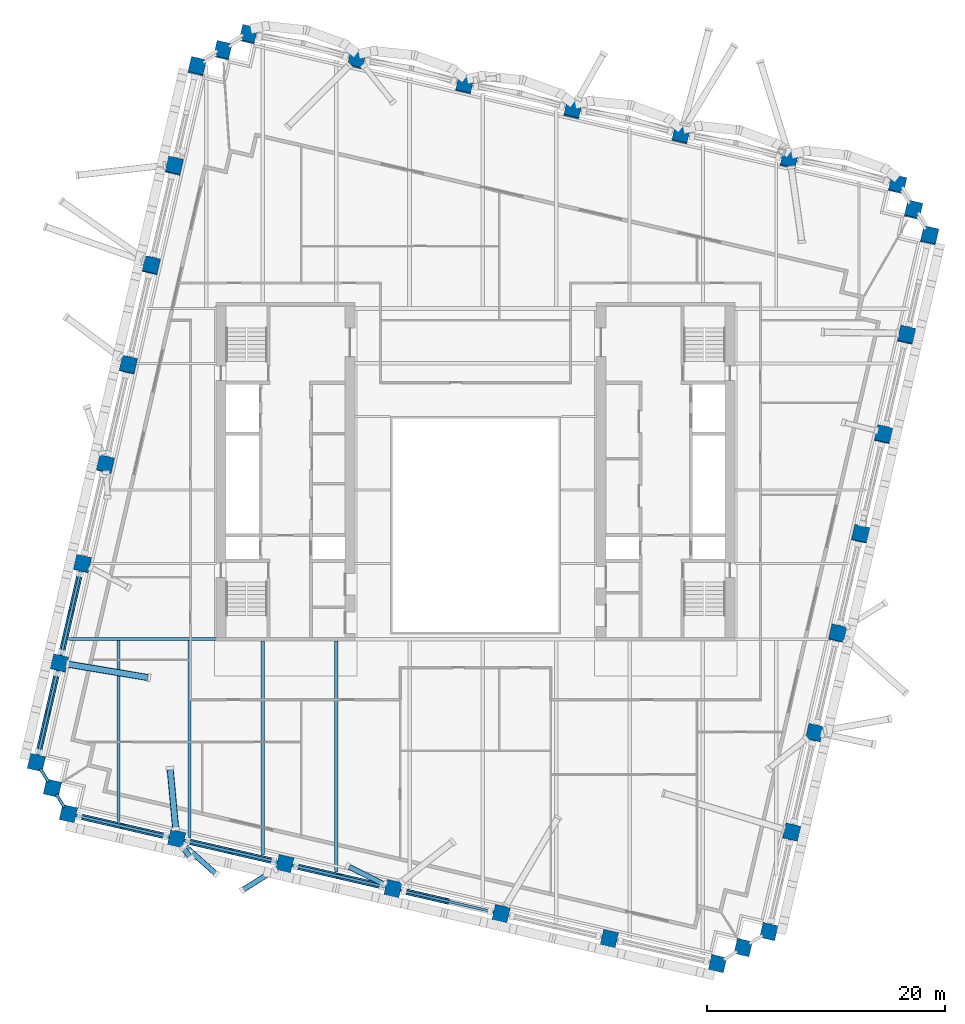
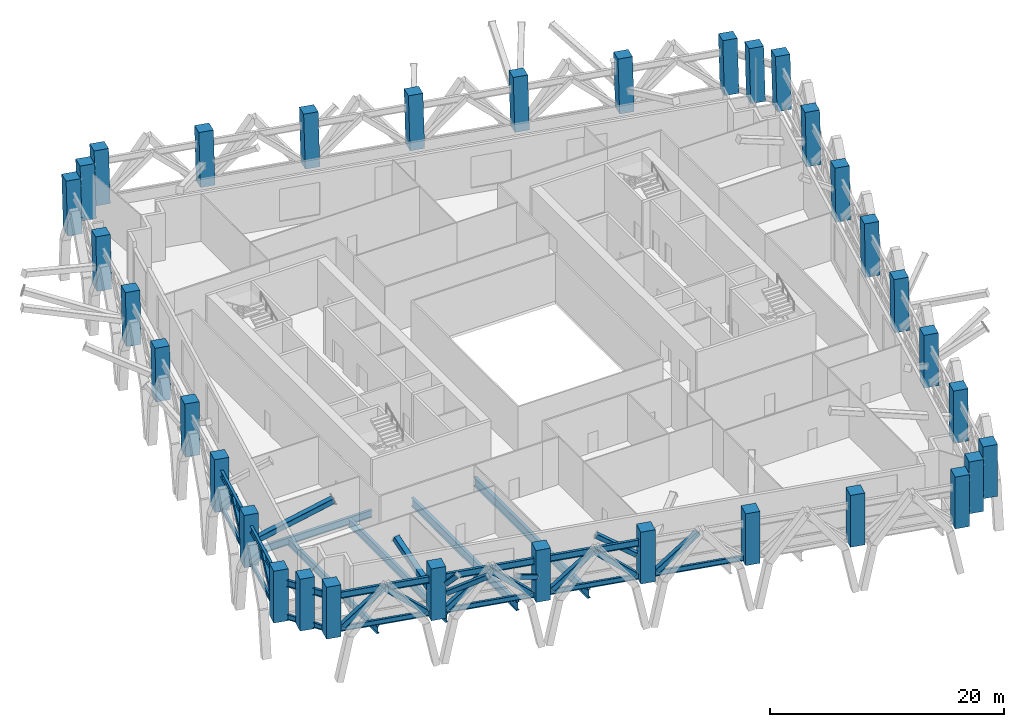
# One storey, part 1 of 20: 34 columns, 20 beams, 17 members.
"""IFC4 building model written with IfcOpenShell, lengths in metres."""

from ifc_helpers import new_model, si_unit, direction, frame, origin, origin_2d, place, context, subcontext, project, spatial, rectangle, hollow_rectangle, i_section, extrude, material, material_profile, profile_set, type_object, element, save


model = new_model("IFC4")

# Units and contexts
model_context = context("Model", 3, precision=1e-05, world=origin(), true_north=direction((0.0, 1.0)))
body_context = subcontext(model_context, "Body", "Model", "MODEL_VIEW")
ifc_project = project(units=[si_unit("LENGTHUNIT", "METRE"), si_unit("AREAUNIT", "SQUARE_METRE"), si_unit("VOLUMEUNIT", "CUBIC_METRE"), si_unit("PLANEANGLEUNIT", "RADIAN"), si_unit("MASSUNIT", "GRAM", prefix="KILO")], contexts=[model_context])

# Site, building, storey
site_placement = place(None, origin())
site = spatial("IfcSite", under=ifc_project, at=site_placement, CompositionType="ELEMENT")
building_placement = place(site_placement, origin())
building = spatial("IfcBuilding", under=site, at=building_placement, Name="Ogive Exchange Tower", CompositionType="ELEMENT")
storey_placement = place(building_placement, frame((0.0, 0.0, 160.199951171875)))
storey = spatial("IfcBuildingStorey", under=building, at=storey_placement, Name="L35", CompositionType="ELEMENT", Elevation=160.199951171875)

# Columns
ifc_material_1 = material(Name="Precast concrete C70/85 (limestone faced)", Category="masonry")
ifc_material_profile_1 = material_profile(ifc_material_1, rectangle(XDim=1.300048828125, YDim=1.300048828125, at=origin_2d()), Name="1300 x 1300")
ifc_profile_set_1 = profile_set([ifc_material_profile_1], Name="Precast concrete C70/85 (limestone faced)")
column_type = type_object("IfcColumnType", Name="Precast exoskeleton leg 1300 x 1300 C70/85", PredefinedType="COLUMN", material=ifc_profile_set_1)
for number, where, z_axis, x_axis, name in (
    (1, (-34.281982421875, -17.298095703125, 0.0), (0.0, 0.0, 1.0), (0.974370064785, -0.224951054344, 0.0), "Exoskeleton leg 1"),
    (2, (-25.171630859375, -19.401611328125, 0.0), (0.0, 0.0, 1.0), (0.974370064785, -0.224951054344, 0.0), "Exoskeleton leg 2"),
    (3, (-16.061279296875, -21.504638671875, 0.0), (0.0, 0.0, 1.0), (0.974370064785, -0.224951054344, 0.0), "Exoskeleton leg 3"),
    (4, (-6.950927734375, -23.60791015625, 0.0), (0.0, 0.0, 1.0), (0.974370064785, -0.224951054344, 0.0), "Exoskeleton leg 4"),
    (5, (2.159423828125, -25.711181640625, 0.0), (0.0, 0.0, 1.0), (0.974370064785, -0.224951054344, 0.0), "Exoskeleton leg 5"),
    (6, (11.269775390625, -27.814697265625, 0.0), (0.0, 0.0, 1.0), (0.974370064785, -0.224951054344, 0.0), "Exoskeleton leg 6"),
    (7, (20.380126953125, -29.91796875, 0.0), (0.0, 0.0, 1.0), (0.974370064785, -0.224951054344, 0.0), "Exoskeleton leg 7"),
    (8, (24.697509765625, -27.219970703125, 0.0), (0.0, 0.0, 1.0), (0.974370064785, -0.224951054344, 0.0), "Exoskeleton leg 8"),
):
    element("IfcColumn", number, at=place(storey_placement, frame(where, z_axis=z_axis, x_axis=x_axis)), inside=storey, type_object=column_type, Name=name, PredefinedType="COLUMN", context=body_context, shape_type="SweptSolid", body=[
        extrude(rectangle(XDim=1.300048828125, YDim=1.300048828125, at=origin_2d()), origin(), (0.0, 0.0, 1.0), 5.400146484375),
    ])
column_1_placement = place(storey_placement, frame((26.62939453125, -18.85302734375, 0.0), z_axis=(0.002893196118, 0.012657733016, 0.999915702052), x_axis=(-0.974858506572, 0.222824801502, 0.0)))
element("IfcColumn", 9, at=column_1_placement, inside=storey, type_object=column_type, Name="Exoskeleton leg 9", PredefinedType="COLUMN", context=body_context, shape_type="SweptSolid", body=[
    extrude(rectangle(XDim=1.300048828125, YDim=1.300048828125, at=origin_2d()), origin(), (0.0, 0.0, 1.0), 5.400634765625),
])
column_2_placement = place(storey_placement, frame((28.56103515625, -10.486083984375, 0.0), z_axis=(0.005830129404, 0.025263894082, 0.999663816114), x_axis=(-0.974391195695, 0.224859506699, 0.0)))
element("IfcColumn", 10, at=column_2_placement, inside=storey, type_object=column_type, Name="Exoskeleton leg 10", PredefinedType="COLUMN", context=body_context, shape_type="SweptSolid", body=[
    extrude(rectangle(XDim=1.300048828125, YDim=1.300048828125, at=origin_2d()), origin(), (0.0, 0.0, 1.0), 5.40185546875),
])
column_3_placement = place(storey_placement, frame((30.49267578125, -2.119140625, 0.0), z_axis=(0.00871892839, 0.037902491811, 0.999243404483), x_axis=(-0.974547573978, 0.22418078877, 0.0)))
element("IfcColumn", 11, at=column_3_placement, inside=storey, type_object=column_type, Name="Exoskeleton leg 11", PredefinedType="COLUMN", context=body_context, shape_type="SweptSolid", body=[
    extrude(rectangle(XDim=1.300048828125, YDim=1.300048828125, at=origin_2d()), origin(), (0.0, 0.0, 1.0), 5.404296875),
])
column_4_placement = place(storey_placement, frame((32.42431640625, 6.247802734375, 0.0), z_axis=(0.011648492007, 0.05052194789, 0.99865501822), x_axis=(-0.97443520668, 0.22466870717, 0.0)))
element("IfcColumn", 12, at=column_4_placement, inside=storey, type_object=column_type, Name="Exoskeleton leg 12", PredefinedType="COLUMN", context=body_context, shape_type="SweptSolid", body=[
    extrude(rectangle(XDim=1.300048828125, YDim=1.300048828125, at=origin_2d()), origin(), (0.0, 0.0, 1.0), 5.407470703125),
])
column_5_placement = place(storey_placement, frame((34.35595703125, 14.614501953125, 0.0), z_axis=(0.014572119901, 0.06316089121, 0.997896966196), x_axis=(-0.974402924741, 0.22480867478, 0.0)))
element("IfcColumn", 13, at=column_5_placement, inside=storey, type_object=column_type, Name="Exoskeleton leg 13", PredefinedType="COLUMN", context=body_context, shape_type="SweptSolid", body=[
    extrude(rectangle(XDim=1.300048828125, YDim=1.300048828125, at=origin_2d()), origin(), (0.0, 0.0, 1.0), 5.41162109375),
])
column_6_placement = place(storey_placement, frame((36.28759765625, 22.981689453125, 0.0), z_axis=(0.017443426151, 0.075678326892, 0.996979697749), x_axis=(-0.974449852125, 0.224605177351, 0.0)))
element("IfcColumn", 14, at=column_6_placement, inside=storey, type_object=column_type, Name="Exoskeleton leg 14", PredefinedType="COLUMN", context=body_context, shape_type="SweptSolid", body=[
    extrude(rectangle(XDim=1.300048828125, YDim=1.300048828125, at=origin_2d()), origin(), (0.0, 0.0, 1.0), 5.41650390625),
])
for number, where, z_axis, x_axis, name in (
    (15, (38.21923828125, 31.348388671875, 0.0), (0.020350946344, 0.088247466445, 0.995890668522), (-0.974424700969, 0.224714267774, 0.0), "Exoskeleton leg 15"),
    (16, (35.521240234375, 35.666015625, 0.0), (0.02039603287, 0.088202711684, 0.995893710942), (-0.974290512438, 0.225295355862, 0.0), "Exoskeleton leg 16"),
    (17, (26.410888671875, 37.769287109375, 0.0), (0.020395951852, 0.088247385496, 0.995889754994), (-0.974315738122, 0.225186239474, 0.0), "Exoskeleton leg 17"),
    (18, (17.300537109375, 39.87255859375, 0.0), (0.020395951852, 0.088247385496, 0.995889754994), (-0.974315738122, 0.225186239474, 0.0), "Exoskeleton leg 18"),
    (19, (8.190185546875, 41.975830078125, 0.0), (0.020395951852, 0.088247385496, 0.995889754994), (-0.974315738122, 0.225186239474, 0.0), "Exoskeleton leg 19"),
    (20, (-0.920166015625, 44.0791015625, 0.0), (0.020350946344, 0.088247466445, 0.995890668522), (-0.974424700969, 0.224714267774, 0.0), "Exoskeleton leg 20"),
    (21, (-10.030517578125, 46.1826171875, 0.0), (0.02039603287, 0.088202711684, 0.995893710942), (-0.974290512438, 0.225295355862, 0.0), "Exoskeleton leg 21"),
    (22, (-19.140869140625, 48.285888671875, 0.0), (0.020351027183, 0.088202792593, 0.995894624482), (-0.974399578103, 0.224823179838, 0.0), "Exoskeleton leg 22"),
    (23, (-23.45849609375, 45.587890625, 0.0), (0.02039603287, 0.088202711684, 0.995893710942), (-0.974290512438, 0.225295355862, 0.0), "Exoskeleton leg 23"),
):
    element("IfcColumn", number, at=place(storey_placement, frame(where, z_axis=z_axis, x_axis=x_axis)), inside=storey, type_object=column_type, Name=name, PredefinedType="COLUMN", context=body_context, shape_type="SweptSolid", body=[
        extrude(rectangle(XDim=1.300048828125, YDim=1.300048828125, at=origin_2d()), origin(), (0.0, 0.0, 1.0), 5.42236328125),
    ])
column_7_placement = place(storey_placement, frame((-25.389892578125, 37.220947265625, 0.0), z_axis=(0.017443366632, 0.07572314197, 0.996976295972), x_axis=(-0.974479105773, 0.22447822258, 0.0)))
element("IfcColumn", 24, at=column_7_placement, inside=storey, type_object=column_type, Name="Exoskeleton leg 24", PredefinedType="COLUMN", context=body_context, shape_type="SweptSolid", body=[
    extrude(rectangle(XDim=1.300048828125, YDim=1.300048828125, at=origin_2d()), origin(), (0.0, 0.0, 1.0), 5.41650390625),
])
column_8_placement = place(storey_placement, frame((-27.32177734375, 28.85400390625, 0.0), z_axis=(0.014572119901, 0.06316089121, 0.997896966196), x_axis=(-0.974402924741, 0.22480867478, 0.0)))
element("IfcColumn", 25, at=column_8_placement, inside=storey, type_object=column_type, Name="Exoskeleton leg 25", PredefinedType="COLUMN", context=body_context, shape_type="SweptSolid", body=[
    extrude(rectangle(XDim=1.300048828125, YDim=1.300048828125, at=origin_2d()), origin(), (0.0, 0.0, 1.0), 5.41162109375),
])
column_9_placement = place(storey_placement, frame((-29.25341796875, 20.487060546875, 0.0), z_axis=(0.011693608354, 0.050566955043, 0.998652213026), x_axis=(-0.974288465505, 0.225304207648, 0.0)))
element("IfcColumn", 26, at=column_9_placement, inside=storey, type_object=column_type, Name="Exoskeleton leg 26", PredefinedType="COLUMN", context=body_context, shape_type="SweptSolid", body=[
    extrude(rectangle(XDim=1.300048828125, YDim=1.300048828125, at=origin_2d()), origin(), (0.0, 0.0, 1.0), 5.407470703125),
])
column_10_placement = place(storey_placement, frame((-31.18505859375, 12.1201171875, 0.0), z_axis=(0.008764085709, 0.037947587604, 0.999241297884), x_axis=(-0.974352081763, 0.225028933169, 0.0)))
element("IfcColumn", 27, at=column_10_placement, inside=storey, type_object=column_type, Name="Exoskeleton leg 27", PredefinedType="COLUMN", context=body_context, shape_type="SweptSolid", body=[
    extrude(rectangle(XDim=1.300048828125, YDim=1.300048828125, at=origin_2d()), origin(), (0.0, 0.0, 1.0), 5.404296875),
])
column_11_placement = place(storey_placement, frame((-33.11669921875, 3.75341796875, 0.0), z_axis=(0.005830129404, 0.025263894082, 0.999663816114), x_axis=(-0.974391195695, 0.224859506699, 0.0)))
element("IfcColumn", 28, at=column_11_placement, inside=storey, type_object=column_type, Name="Exoskeleton leg 28", PredefinedType="COLUMN", context=body_context, shape_type="SweptSolid", body=[
    extrude(rectangle(XDim=1.300048828125, YDim=1.300048828125, at=origin_2d()), origin(), (0.0, 0.0, 1.0), 5.40185546875),
])
column_12_placement = place(storey_placement, frame((-35.04833984375, -4.61376953125, 0.0), z_axis=(0.00293840192, 0.012657731347, 0.999915570251), x_axis=(-0.974097200243, 0.226129707199, 0.0)))
element("IfcColumn", 29, at=column_12_placement, inside=storey, type_object=column_type, Name="Exoskeleton leg 29", PredefinedType="COLUMN", context=body_context, shape_type="SweptSolid", body=[
    extrude(rectangle(XDim=1.300048828125, YDim=1.300048828125, at=origin_2d()), origin(), (0.0, 0.0, 1.0), 5.400634765625),
])
for number, where, z_axis, x_axis, name in (
    (30, (-36.97998046875, -12.980712890625, 0.0), (0.0, 0.0, 1.0), (0.974370064785, -0.224951054344, 0.0), "Exoskeleton leg 30"),
    (31, (22.538818359375, -28.569091796875, 0.0), (0.0, 0.0, 1.0), (0.974370064785, -0.224951054344, 0.0), "Exoskeleton leg 31"),
):
    element("IfcColumn", number, at=place(storey_placement, frame(where, z_axis=z_axis, x_axis=x_axis)), inside=storey, type_object=column_type, Name=name, PredefinedType="COLUMN", context=body_context, shape_type="SweptSolid", body=[
        extrude(rectangle(XDim=1.300048828125, YDim=1.300048828125, at=origin_2d()), origin(), (0.0, 0.0, 1.0), 5.400146484375),
    ])
for number, where, z_axis, x_axis, name in (
    (32, (36.870361328125, 33.50732421875, 0.0), (0.020351027183, 0.088202792593, 0.995894624482), (-0.974399578103, 0.224823179838, 0.0), "Exoskeleton leg 32"),
    (33, (-21.299560546875, 46.93701171875, 0.0), (0.020351027183, 0.088202792593, 0.995894624482), (-0.974399578103, 0.224823179838, 0.0), "Exoskeleton leg 33"),
):
    element("IfcColumn", number, at=place(storey_placement, frame(where, z_axis=z_axis, x_axis=x_axis)), inside=storey, type_object=column_type, Name=name, PredefinedType="COLUMN", context=body_context, shape_type="SweptSolid", body=[
        extrude(rectangle(XDim=1.300048828125, YDim=1.300048828125, at=origin_2d()), origin(), (0.0, 0.0, 1.0), 5.42236328125),
    ])
column_13_placement = place(storey_placement, frame((-35.631103515625, -15.139404296875, 0.0), z_axis=(0.0, 0.0, 1.0), x_axis=(0.974370064785, -0.224951054344, 0.0)))
element("IfcColumn", 34, at=column_13_placement, inside=storey, type_object=column_type, Name="Exoskeleton leg 34", PredefinedType="COLUMN", context=body_context, shape_type="SweptSolid", body=[
    extrude(rectangle(XDim=1.300048828125, YDim=1.300048828125, at=origin_2d()), origin(), (0.0, 0.0, 1.0), 5.400146484375),
])

# Beams
ifc_material_2 = material(Name="Steel ASTM A992 Gr50", Category="steel")
ifc_material_profile_2 = material_profile(ifc_material_2, i_section(OverallWidth=0.2099609375, OverallDepth=0.535888671875, WebThickness=0.010986328125, FlangeThickness=0.017333984375, at=origin_2d()), Name="W530x101")
ifc_profile_set_2 = profile_set([ifc_material_profile_2], Name="Steel ASTM A992 Gr50")
beam_type_1 = type_object("IfcBeamType", Name="Belt truss bottom chord W530x101", PredefinedType="BEAM", material=ifc_profile_set_2)
for number, where, z_axis, x_axis, name in (
    (35, (-33.668212890625, -17.43994140625, 0.400146484375), (0.974370337884, -0.224949871421, 0.0), (0.224949871421, 0.974370337884, 0.0), "Belt truss bottom chord 1"),
    (36, (-24.557861328125, -19.543212890625, 0.400146484375), (0.974370337884, -0.224949871421, 0.0), (0.224949871421, 0.974370337884, 0.0), "Belt truss bottom chord 2"),
):
    element("IfcBeam", number, at=place(storey_placement, frame(where, z_axis=z_axis, x_axis=x_axis)), inside=storey, type_object=beam_type_1, Name=name, PredefinedType="BEAM", context=body_context, shape_type="SweptSolid", body=[
        extrude(i_section(OverallWidth=0.2099609375, OverallDepth=0.535888671875, WebThickness=0.010986328125, FlangeThickness=0.017333984375, at=origin_2d()), origin(), (0.0, 0.0, 1.0), 8.08984375),
    ])
beam_1_placement = place(storey_placement, frame((-15.447509765625, -21.646484375, 0.400146484375), z_axis=(0.974371864918, -0.224943256972, 0.0), x_axis=(0.224943256972, 0.974371864918, 0.0)))
element("IfcBeam", 37, at=beam_1_placement, inside=storey, type_object=beam_type_1, Name="Belt truss bottom chord 3", PredefinedType="BEAM", context=body_context, shape_type="SweptSolid", body=[
    extrude(i_section(OverallWidth=0.2099609375, OverallDepth=0.535888671875, WebThickness=0.010986328125, FlangeThickness=0.017333984375, at=origin_2d()), origin(), (0.0, 0.0, 1.0), 8.090087890625),
])
beam_2_placement = place(storey_placement, frame((-6.337158203125, -23.749755859375, 0.400146484375), z_axis=(0.974370337884, -0.224949871421, 0.0), x_axis=(0.224949871421, 0.974370337884, 0.0)))
element("IfcBeam", 38, at=beam_2_placement, inside=storey, type_object=beam_type_1, Name="Belt truss bottom chord 4", PredefinedType="BEAM", context=body_context, shape_type="SweptSolid", body=[
    extrude(i_section(OverallWidth=0.2099609375, OverallDepth=0.535888671875, WebThickness=0.010986328125, FlangeThickness=0.017333984375, at=origin_2d()), origin(), (0.0, 0.0, 1.0), 8.08984375),
])
for number, where, z_axis, x_axis, name in (
    (39, (-33.256103515625, 3.1494140625, 0.400146484375), (-0.224954345887, -0.974369304867, 0.0), (0.974369304867, -0.224954345887, 0.0), "Belt truss bottom chord 31"),
    (40, (-35.18896484375, -5.222412109375, 0.400146484375), (-0.224954345887, -0.974369304867, 0.0), (0.974369304867, -0.224954345887, 0.0), "Belt truss bottom chord 32"),
):
    element("IfcBeam", number, at=place(storey_placement, frame(where, z_axis=z_axis, x_axis=x_axis)), inside=storey, type_object=beam_type_1, Name=name, PredefinedType="BEAM", context=body_context, shape_type="SweptSolid", body=[
        extrude(i_section(OverallWidth=0.2099609375, OverallDepth=0.535888671875, WebThickness=0.010986328125, FlangeThickness=0.017333984375, at=origin_2d()), origin(), (0.0, 0.0, 1.0), 7.332275390625),
    ])
for number, where, z_axis, x_axis, name in (
    (41, (-36.65185546875, -13.505615234375, 0.400146484375), (0.529847842077, -0.848092721491, 0.0), (0.848092721491, 0.529847842077, 0.0), "Belt truss bottom chord 33"),
    (42, (-35.302978515625, -15.66455078125, 0.400146484375), (0.530066093226, -0.847956329543, 0.0), (0.847956329543, 0.530066093226, 0.0), "Belt truss bottom chord 34"),
):
    element("IfcBeam", number, at=place(storey_placement, frame(where, z_axis=z_axis, x_axis=x_axis)), inside=storey, type_object=beam_type_1, Name=name, PredefinedType="BEAM", context=body_context, shape_type="SweptSolid", body=[
        extrude(i_section(OverallWidth=0.2099609375, OverallDepth=0.535888671875, WebThickness=0.010986328125, FlangeThickness=0.017333984375, at=origin_2d()), origin(), (0.0, 0.0, 1.0), 1.30712890625),
    ])

# Members
ifc_material_3 = material(Name="Steel ASTM A1085 Gr A", Category="steel")
ifc_material_profile_3 = material_profile(ifc_material_3, hollow_rectangle(XDim=0.508056640625, YDim=0.508056640625, WallThickness=0.022216796875, InnerFilletRadius=0.022216796875, OuterFilletRadius=0.04443359375, at=origin_2d()), Name="HSS508x508x22.2")
ifc_profile_set_3 = profile_set([ifc_material_profile_3], Name="Steel ASTM A1085 Gr A")
member_type_1 = type_object("IfcMemberType", Name="Belt truss diagonal HSS508x508x22.2", PredefinedType="BRACE", material=ifc_profile_set_3)
member_1_placement = place(storey_placement, frame((-33.348876953125, -17.513671875, 0.6845703125), z_axis=(0.736108380355, -0.169936047635, 0.655184090226), x_axis=(0.224941047733, 0.974372374939, 0.0)))
element("IfcMember", 43, at=member_1_placement, inside=storey, type_object=member_type_1, Name="Belt truss diagonal 1a", PredefinedType="BRACE", context=body_context, shape_type="SweptSolid", body=[
    extrude(hollow_rectangle(XDim=0.508056640625, YDim=0.508056640625, WallThickness=0.022216796875, InnerFilletRadius=0.022216796875, OuterFilletRadius=0.04443359375, at=origin_2d()), origin(), (0.0, 0.0, 1.0), 4.920654296875),
])
for number, where, z_axis, x_axis, name in (
    (44, (-26.10498046875, -19.18603515625, 0.6845703125), (-0.736085647648, 0.169942254344, 0.655208020033), (-0.224955443303, -0.974369051504, 0.0), "Belt truss diagonal 1b"),
    (45, (-24.23828125, -19.616943359375, 0.6845703125), (0.736085647648, -0.169942254344, 0.655208020033), (0.224955443303, 0.974369051504, 0.0), "Belt truss diagonal 2a"),
    (46, (-16.99462890625, -21.289306640625, 0.6845703125), (-0.736085647648, 0.169942254344, 0.655208020033), (-0.224955443303, -0.974369051504, 0.0), "Belt truss diagonal 2b"),
    (47, (-15.1279296875, -21.72021484375, 0.6845703125), (0.736085647648, -0.169942254344, 0.655208020033), (0.224955443303, 0.974369051504, 0.0), "Belt truss diagonal 3a"),
    (48, (-7.88427734375, -23.392578125, 0.6845703125), (-0.736085647648, 0.169942254344, 0.655208020033), (-0.224955443303, -0.974369051504, 0.0), "Belt truss diagonal 3b"),
    (49, (-6.017578125, -23.823486328125, 0.6845703125), (0.736085647648, -0.169942254344, 0.655208020033), (0.224955443303, 0.974369051504, 0.0), "Belt truss diagonal 4a"),
):
    element("IfcMember", number, at=place(storey_placement, frame(where, z_axis=z_axis, x_axis=x_axis)), inside=storey, type_object=member_type_1, Name=name, PredefinedType="BRACE", context=body_context, shape_type="SweptSolid", body=[
        extrude(hollow_rectangle(XDim=0.508056640625, YDim=0.508056640625, WallThickness=0.022216796875, InnerFilletRadius=0.022216796875, OuterFilletRadius=0.04443359375, at=origin_2d()), origin(), (0.0, 0.0, 1.0), 4.92041015625),
    ])
member_2_placement = place(storey_placement, frame((-33.322021484375, 2.8642578125, 0.685546875), z_axis=(-0.161042480369, -0.697586310696, 0.698168073351), x_axis=(0.974372516812, -0.224940433184, 0.0)))
element("IfcMember", 50, at=member_2_placement, inside=storey, type_object=member_type_1, Name="Belt truss diagonal 31a", PredefinedType="BRACE", context=body_context, shape_type="SweptSolid", body=[
    extrude(hollow_rectangle(XDim=0.508056640625, YDim=0.508056640625, WallThickness=0.022216796875, InnerFilletRadius=0.022216796875, OuterFilletRadius=0.04443359375, at=origin_2d()), origin(), (0.0, 0.0, 1.0), 4.6162109375),
])
member_3_placement = place(storey_placement, frame((-34.837158203125, -3.69921875, 0.68505859375), z_axis=(0.163926184792, 0.710156651229, 0.684693899969), x_axis=(-0.974378002612, 0.224916669071, 0.0)))
element("IfcMember", 51, at=member_3_placement, inside=storey, type_object=member_type_1, Name="Belt truss diagonal 31b", PredefinedType="BRACE", context=body_context, shape_type="SweptSolid", body=[
    extrude(hollow_rectangle(XDim=0.508056640625, YDim=0.508056640625, WallThickness=0.022216796875, InnerFilletRadius=0.022216796875, OuterFilletRadius=0.04443359375, at=origin_2d()), origin(), (0.0, 0.0, 1.0), 4.707763671875),
])
member_4_placement = place(storey_placement, frame((-35.255615234375, -5.51123046875, 0.685302734375), z_axis=(-0.161986568185, -0.701854225694, 0.693657694835), x_axis=(0.97438504837, -0.224886143444, 0.0)))
element("IfcMember", 52, at=member_4_placement, inside=storey, type_object=member_type_1, Name="Belt truss diagonal 32a", PredefinedType="BRACE", context=body_context, shape_type="SweptSolid", body=[
    extrude(hollow_rectangle(XDim=0.508056640625, YDim=0.508056640625, WallThickness=0.022216796875, InnerFilletRadius=0.022216796875, OuterFilletRadius=0.04443359375, at=origin_2d()), origin(), (0.0, 0.0, 1.0), 4.646484375),
])
member_5_placement = place(storey_placement, frame((-36.770751953125, -12.074462890625, 0.685302734375), z_axis=(0.163025590281, 0.70602661177, 0.689165495644), x_axis=(-0.974362047108, 0.224985779898, 0.0)))
element("IfcMember", 53, at=member_5_placement, inside=storey, type_object=member_type_1, Name="Belt truss diagonal 32b", PredefinedType="BRACE", context=body_context, shape_type="SweptSolid", body=[
    extrude(hollow_rectangle(XDim=0.508056640625, YDim=0.508056640625, WallThickness=0.022216796875, InnerFilletRadius=0.022216796875, OuterFilletRadius=0.04443359375, at=origin_2d()), origin(), (0.0, 0.0, 1.0), 4.677001953125),
])

# Beams
ifc_material_profile_4 = material_profile(ifc_material_2, i_section(OverallWidth=0.25390625, OverallDepth=0.68310546875, WebThickness=0.012451171875, FlangeThickness=0.018798828125, at=origin_2d()), Name="W690x140")
ifc_profile_set_4 = profile_set([ifc_material_profile_4], Name="Steel ASTM A992 Gr50")
beam_type_2 = type_object("IfcBeamType", Name="Belt truss top chord W690x140", PredefinedType="BEAM", material=ifc_profile_set_4)
for number, where, z_axis, x_axis, name in (
    (54, (-33.668212890625, -17.43994140625, 3.908447265625), (0.974370337884, -0.224949871421, 0.0), (0.224949871421, 0.974370337884, 0.0), "Belt truss top chord 1"),
    (55, (-24.557861328125, -19.543212890625, 3.908447265625), (0.974370337884, -0.224949871421, 0.0), (0.224949871421, 0.974370337884, 0.0), "Belt truss top chord 2"),
):
    element("IfcBeam", number, at=place(storey_placement, frame(where, z_axis=z_axis, x_axis=x_axis)), inside=storey, type_object=beam_type_2, Name=name, PredefinedType="BEAM", context=body_context, shape_type="SweptSolid", body=[
        extrude(i_section(OverallWidth=0.25390625, OverallDepth=0.68310546875, WebThickness=0.012451171875, FlangeThickness=0.018798828125, at=origin_2d()), origin(), (0.0, 0.0, 1.0), 8.08984375),
    ])
beam_3_placement = place(storey_placement, frame((-15.447509765625, -21.646484375, 3.908447265625), z_axis=(0.974371864918, -0.224943256972, 0.0), x_axis=(0.224943256972, 0.974371864918, 0.0)))
element("IfcBeam", 56, at=beam_3_placement, inside=storey, type_object=beam_type_2, Name="Belt truss top chord 3", PredefinedType="BEAM", context=body_context, shape_type="SweptSolid", body=[
    extrude(i_section(OverallWidth=0.25390625, OverallDepth=0.68310546875, WebThickness=0.012451171875, FlangeThickness=0.018798828125, at=origin_2d()), origin(), (0.0, 0.0, 1.0), 8.090087890625),
])
for number, where, z_axis, x_axis, name in (
    (57, (-33.235595703125, 3.23828125, 3.908447265625), (-0.224953759704, -0.9743694402, 0.0), (0.9743694402, -0.224953759704, 0.0), "Belt truss top chord 31"),
    (58, (-35.1787109375, -5.177978515625, 3.908447265625), (-0.224953759704, -0.9743694402, 0.0), (0.9743694402, -0.224953759704, 0.0), "Belt truss top chord 32"),
):
    element("IfcBeam", number, at=place(storey_placement, frame(where, z_axis=z_axis, x_axis=x_axis)), inside=storey, type_object=beam_type_2, Name=name, PredefinedType="BEAM", context=body_context, shape_type="SweptSolid", body=[
        extrude(i_section(OverallWidth=0.25390625, OverallDepth=0.68310546875, WebThickness=0.012451171875, FlangeThickness=0.018798828125, at=origin_2d()), origin(), (0.0, 0.0, 1.0), 7.3779296875),
    ])
for number, where, z_axis, x_axis, name in (
    (59, (-36.65185546875, -13.505615234375, 3.908447265625), (0.529847842077, -0.848092721491, 0.0), (0.848092721491, 0.529847842077, 0.0), "Belt truss top chord 33"),
    (60, (-35.302978515625, -15.66455078125, 3.908447265625), (0.530066093226, -0.847956329543, 0.0), (0.847956329543, 0.530066093226, 0.0), "Belt truss top chord 34"),
):
    element("IfcBeam", number, at=place(storey_placement, frame(where, z_axis=z_axis, x_axis=x_axis)), inside=storey, type_object=beam_type_2, Name=name, PredefinedType="BEAM", context=body_context, shape_type="SweptSolid", body=[
        extrude(i_section(OverallWidth=0.25390625, OverallDepth=0.68310546875, WebThickness=0.012451171875, FlangeThickness=0.018798828125, at=origin_2d()), origin(), (0.0, 0.0, 1.0), 1.30712890625),
    ])

# Members
ifc_material_profile_5 = material_profile(ifc_material_3, hollow_rectangle(XDim=0.45703125, YDim=0.45703125, WallThickness=0.01904296875, InnerFilletRadius=0.01904296875, OuterFilletRadius=0.0380859375, at=origin_2d()), Name="HSS457.2x457.2x19")
ifc_profile_set_5 = profile_set([ifc_material_profile_5], Name="Steel ASTM A1085 Gr A")
member_type_2 = type_object("IfcMemberType", Name="Block-change strut HSS457.2x457.2x19", PredefinedType="STRUT", material=ifc_profile_set_5)
member_6_placement = place(storey_placement, frame((-16.858642578125, -22.00341796875, 2.715087890625), z_axis=(-0.72055845653, -0.450721781737, 0.526920664038), x_axis=(0.530314279035, -0.847801135557, 0.0)))
element("IfcMember", 61, at=member_6_placement, inside=storey, type_object=member_type_2, Name="Block-change strut 1", PredefinedType="STRUT", context=body_context, shape_type="SweptSolid", body=[
    extrude(hollow_rectangle(XDim=0.45703125, YDim=0.45703125, WallThickness=0.01904296875, InnerFilletRadius=0.01904296875, OuterFilletRadius=0.0380859375, at=origin_2d()), origin(), (0.0, 0.0, 1.0), 3.847900390625),
])
member_7_placement = place(storey_placement, frame((-7.67138671875, -23.249755859375, 2.6015625), z_axis=(-0.760959059806, 0.378526812221, 0.52693335606), x_axis=(-0.445374597302, -0.895344329338, 0.0)))
element("IfcMember", 62, at=member_7_placement, inside=storey, type_object=member_type_2, Name="Block-change strut 2", PredefinedType="STRUT", context=body_context, shape_type="SweptSolid", body=[
    extrude(hollow_rectangle(XDim=0.45703125, YDim=0.45703125, WallThickness=0.01904296875, InnerFilletRadius=0.01904296875, OuterFilletRadius=0.0380859375, at=origin_2d()), origin(), (0.0, 0.0, 1.0), 4.063232421875),
])
member_8_placement = place(storey_placement, frame((-24.620849609375, -20.15576171875, 3.612060546875), z_axis=(0.403522756006, -0.552720589569, 0.729156591722), x_axis=(0.807661433547, 0.589646511701, 0.0)))
element("IfcMember", 63, at=member_8_placement, inside=storey, type_object=member_type_2, Name="Block-change strut 30", PredefinedType="STRUT", context=body_context, shape_type="SweptSolid", body=[
    extrude(hollow_rectangle(XDim=0.45703125, YDim=0.45703125, WallThickness=0.01904296875, InnerFilletRadius=0.01904296875, OuterFilletRadius=0.0380859375, at=origin_2d()), origin(), (0.0, 0.0, 1.0), 1.595458984375),
])
member_9_placement = place(storey_placement, frame((-24.497314453125, -20.002685546875, 2.522216796875), z_axis=(0.634403578573, -0.565575135528, 0.526931556815), x_axis=(0.665454756402, 0.746438187114, 0.0)))
element("IfcMember", 64, at=member_9_placement, inside=storey, type_object=member_type_2, Name="Block-change strut 34", PredefinedType="STRUT", context=body_context, shape_type="SweptSolid", body=[
    extrude(hollow_rectangle(XDim=0.45703125, YDim=0.45703125, WallThickness=0.01904296875, InnerFilletRadius=0.01904296875, OuterFilletRadius=0.0380859375, at=origin_2d()), origin(), (0.0, 0.0, 1.0), 4.2138671875),
])
ifc_material_profile_6 = material_profile(ifc_material_3, hollow_rectangle(XDim=0.55908203125, YDim=0.55908203125, WallThickness=0.022216796875, InnerFilletRadius=0.022216796875, OuterFilletRadius=0.04443359375, at=origin_2d()), Name="HSS558.8x558.8x22.2")
ifc_profile_set_6 = profile_set([ifc_material_profile_6], Name="Steel ASTM A1085 Gr A")
member_type_3 = type_object("IfcMemberType", Name="Block-change strut HSS558.8x558.8x22.2", PredefinedType="STRUT", material=ifc_profile_set_6)
member_10_placement = place(storey_placement, frame((-34.33935546875, -4.702392578125, 2.2939453125), z_axis=(0.932717710108, -0.156107700696, 0.325066237918), x_axis=(0.165072586471, 0.986281420892, 0.0)))
element("IfcMember", 65, at=member_10_placement, inside=storey, type_object=member_type_3, Name="Block-change strut 28", PredefinedType="STRUT", context=body_context, shape_type="SweptSolid", body=[
    extrude(hollow_rectangle(XDim=0.55908203125, YDim=0.55908203125, WallThickness=0.022216796875, InnerFilletRadius=0.022216796875, OuterFilletRadius=0.04443359375, at=origin_2d()), origin(), (0.0, 0.0, 1.0), 7.333251953125),
])
member_11_placement = place(storey_placement, frame((-25.249267578125, -18.561279296875, 2.30712890625), z_axis=(-0.083433928068, 0.902697919559, 0.422108097139), x_axis=(-0.995755771387, -0.09203501371, 0.0)))
element("IfcMember", 66, at=member_11_placement, inside=storey, type_object=member_type_3, Name="Block-change strut 29", PredefinedType="STRUT", context=body_context, shape_type="SweptSolid", body=[
    extrude(hollow_rectangle(XDim=0.55908203125, YDim=0.55908203125, WallThickness=0.022216796875, InnerFilletRadius=0.022216796875, OuterFilletRadius=0.04443359375, at=origin_2d()), origin(), (0.0, 0.0, 1.0), 5.6357421875),
])

# Beams
ifc_material_profile_7 = material_profile(ifc_material_2, i_section(OverallWidth=0.26708984375, OverallDepth=0.75390625, WebThickness=0.01318359375, FlangeThickness=0.01708984375, at=origin_2d()), Name="W760x147")
ifc_profile_set_7 = profile_set([ifc_material_profile_7], Name="Steel ASTM A992 Gr50")
beam_type_3 = type_object("IfcBeamType", Name="Floor beam W760x147", PredefinedType="JOIST", material=ifc_profile_set_7)
beam_4_placement = place(storey_placement, frame((-30.063720703125, -17.960205078125, -0.677001953125), z_axis=(0.0, 1.0, 0.0), x_axis=(-1.0, 0.0, 0.0)))
element("IfcBeam", 67, at=beam_4_placement, inside=storey, type_object=beam_type_3, Name="Floor beam", PredefinedType="JOIST", context=body_context, shape_type="SweptSolid", body=[
    extrude(i_section(OverallWidth=0.26708984375, OverallDepth=0.75390625, WebThickness=0.01318359375, FlangeThickness=0.01708984375, at=origin_2d()), origin(), (0.0, 0.0, 1.0), 15.231689453125),
])
ifc_material_profile_8 = material_profile(ifc_material_2, i_section(OverallWidth=0.2919921875, OverallDepth=0.8359375, WebThickness=0.013916015625, FlangeThickness=0.018798828125, at=origin_2d()), Name="W840x176")
ifc_profile_set_8 = profile_set([ifc_material_profile_8], Name="Steel ASTM A992 Gr50")
beam_type_4 = type_object("IfcBeamType", Name="Floor beam W840x176", PredefinedType="JOIST", material=ifc_profile_set_8)
beam_5_placement = place(storey_placement, frame((-24.0869140625, -19.340087890625, -0.718017578125), z_axis=(0.0, 1.0, 0.0), x_axis=(-1.0, 0.0, 0.0)))
element("IfcBeam", 68, at=beam_5_placement, inside=storey, type_object=beam_type_4, Name="Floor beam", PredefinedType="JOIST", context=body_context, shape_type="SweptSolid", body=[
    extrude(i_section(OverallWidth=0.2919921875, OverallDepth=0.8359375, WebThickness=0.013916015625, FlangeThickness=0.018798828125, at=origin_2d()), origin(), (0.0, 0.0, 1.0), 16.611572265625),
])
ifc_material_profile_9 = material_profile(ifc_material_2, i_section(OverallWidth=0.304931640625, OverallDepth=0.904052734375, WebThickness=0.01513671875, FlangeThickness=0.02001953125, at=origin_2d()), Name="W920x201")
ifc_profile_set_9 = profile_set([ifc_material_profile_9], Name="Steel ASTM A992 Gr50")
beam_type_5 = type_object("IfcBeamType", Name="Floor beam W920x201", PredefinedType="JOIST", material=ifc_profile_set_9)
beam_6_placement = place(storey_placement, frame((-17.910400390625, -20.76611328125, -0.751953125), z_axis=(0.0, 1.0, 0.0), x_axis=(-1.0, 0.0, 0.0)))
element("IfcBeam", 69, at=beam_6_placement, inside=storey, type_object=beam_type_5, Name="Floor beam", PredefinedType="JOIST", context=body_context, shape_type="SweptSolid", body=[
    extrude(i_section(OverallWidth=0.304931640625, OverallDepth=0.904052734375, WebThickness=0.01513671875, FlangeThickness=0.02001953125, at=origin_2d()), origin(), (0.0, 0.0, 1.0), 18.01611328125),
])
ifc_material_profile_10 = material_profile(ifc_material_2, i_section(OverallWidth=0.306884765625, OverallDepth=0.927001953125, WebThickness=0.019287109375, FlangeThickness=0.031982421875, at=origin_2d()), Name="W920x289")
ifc_profile_set_10 = profile_set([ifc_material_profile_10], Name="Steel ASTM A992 Gr50")
beam_type_6 = type_object("IfcBeamType", Name="Floor beam W920x289", PredefinedType="JOIST", material=ifc_profile_set_10)
beam_7_placement = place(storey_placement, frame((-11.733642578125, -22.19189453125, -0.763427734375), z_axis=(0.0, 1.0, 0.0), x_axis=(-1.0, 0.0, 0.0)))
element("IfcBeam", 70, at=beam_7_placement, inside=storey, type_object=beam_type_6, Name="Floor beam", PredefinedType="JOIST", context=body_context, shape_type="SweptSolid", body=[
    extrude(i_section(OverallWidth=0.306884765625, OverallDepth=0.927001953125, WebThickness=0.019287109375, FlangeThickness=0.031982421875, at=origin_2d()), origin(), (0.0, 0.0, 1.0), 19.44189453125),
])
ifc_material_profile_11 = material_profile(ifc_material_2, i_section(OverallWidth=0.26708984375, OverallDepth=0.75390625, WebThickness=0.01318359375, FlangeThickness=0.01708984375, at=origin_2d()), Name="W760x147")
ifc_profile_set_11 = profile_set([ifc_material_profile_11], Name="Steel ASTM A992 Gr50")
beam_type_7 = type_object("IfcBeamType", Name="Girder W760x147", PredefinedType="BEAM", material=ifc_profile_set_11)
beam_8_placement = place(storey_placement, frame((-34.2705078125, -2.594970703125, -0.677001953125), z_axis=(1.0, 0.0, 0.0), x_axis=(0.0, 1.0, 0.0)))
element("IfcBeam", 71, at=beam_8_placement, inside=storey, type_object=beam_type_7, Name="Header girder", PredefinedType="BEAM", context=body_context, shape_type="SweptSolid", body=[
    extrude(i_section(OverallWidth=0.26708984375, OverallDepth=0.75390625, WebThickness=0.01318359375, FlangeThickness=0.01708984375, at=origin_2d()), origin(), (0.0, 0.0, 1.0), 12.4404296875),
])

save(model, "model.ifc")
